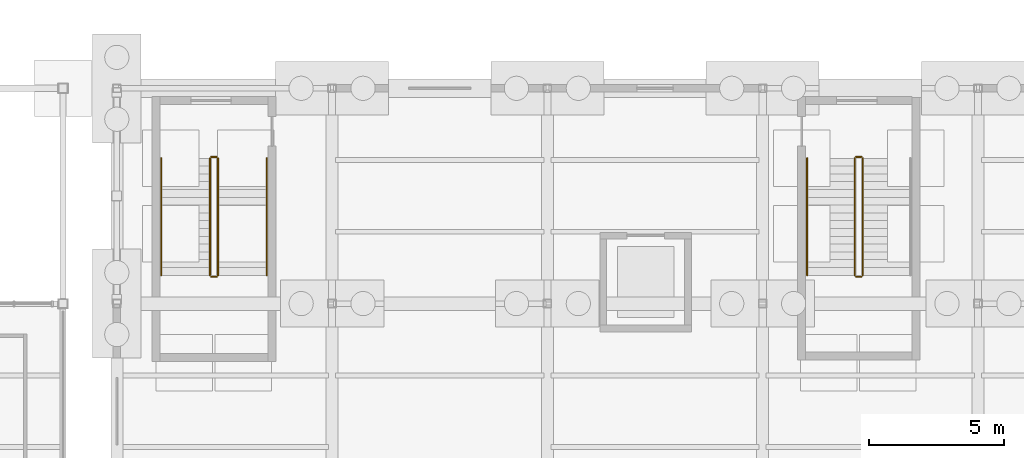
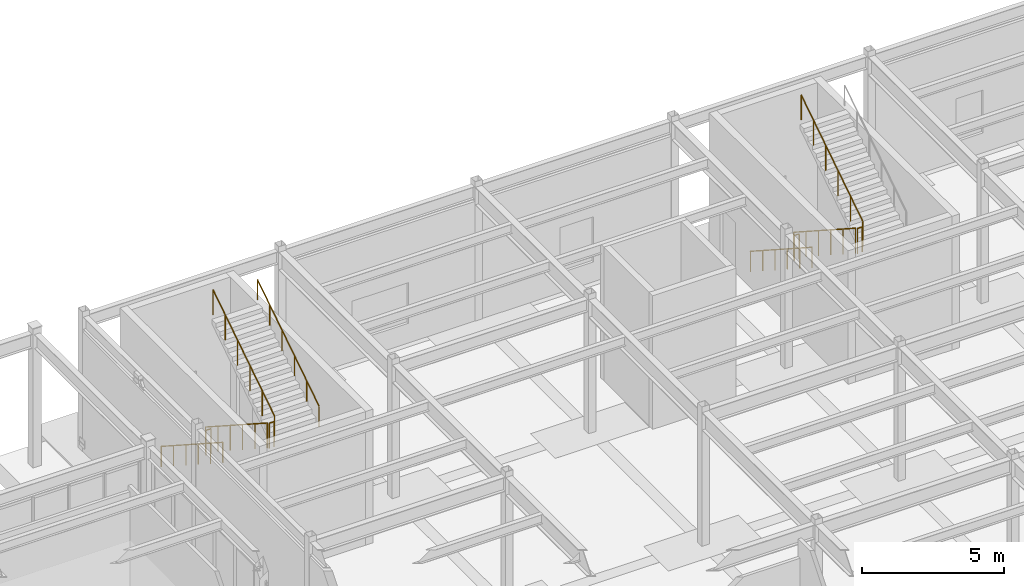
# One storey, part 80 of 82: 11 railings.
"""IFC4 building model written with IfcOpenShell, lengths in metres."""

from ifc_helpers import new_model, si_unit, direction, frame, origin, origin_2d, place, context, subcontext, project, spatial, circle, extrude, material, type_object, element, save


model = new_model("IFC4")

# Units and contexts
model_context = context("Model", 3, precision=1e-05, world=origin(), true_north=direction((0.0, 1.0)))
body_context = subcontext(model_context, "Body", "Model", "MODEL_VIEW")
ifc_project = project(units=[si_unit("LENGTHUNIT", "METRE"), si_unit("AREAUNIT", "SQUARE_METRE"), si_unit("VOLUMEUNIT", "CUBIC_METRE"), si_unit("PLANEANGLEUNIT", "RADIAN"), si_unit("MASSUNIT", "GRAM", prefix="KILO")], contexts=[model_context])

# Site, building, storey
site_placement = place(None, origin())
site = spatial("IfcSite", under=ifc_project, at=site_placement, CompositionType="ELEMENT")
building_placement = place(site_placement, origin())
building = spatial("IfcBuilding", under=site, at=building_placement, Name="Drelvath Fold Interchange", CompositionType="ELEMENT")
storey_placement = place(building_placement, origin())
storey = spatial("IfcBuildingStorey", under=building, at=storey_placement, Name="L00", CompositionType="ELEMENT", Elevation=0.0)

# Railings
ifc_material = material(Name="Stainless Steel 316L", Category="steel")
railing_type_1 = type_object("IfcRailingType", Name="RL-GRD1100", PredefinedType="GUARDRAIL", material=ifc_material)
railing_1_placement = place(storey_placement, frame((105.4599609375, 104.39990234375, 0.1875)))
element("IfcRailing", 1, at=railing_1_placement, inside=storey, type_object=railing_type_1, Name="L00 ST-07 stair guard 1", PredefinedType="GUARDRAIL", context=body_context, shape_type="SweptSolid", body=[
    extrude(circle(Radius=0.02392578125, at=origin_2d()), frame((0.0, 0.0, 1.076171875), z_axis=(0.0, -0.839755993153, 0.542963969306), x_axis=(1.0, 0.0, 0.0)), (0.0, 0.0, 1.0), 5.179931640625),
    extrude(circle(Radius=0.02099609375, at=origin_2d()), origin(), (0.0, 0.0, 1.0), 1.052001953125),
    extrude(circle(Radius=0.02099609375, at=origin_2d()), frame((0.0, -0.869873046875, 0.5625)), (0.0, 0.0, 1.0), 1.052001953125),
    extrude(circle(Radius=0.02099609375, at=origin_2d()), frame((0.0, -1.739990234375, 1.125)), (0.0, 0.0, 1.0), 1.052001953125),
    extrude(circle(Radius=0.02099609375, at=origin_2d()), frame((0.0, -2.60986328125, 1.6875)), (0.0, 0.0, 1.0), 1.052001953125),
    extrude(circle(Radius=0.02099609375, at=origin_2d()), frame((0.0, -3.47998046875, 2.25)), (0.0, 0.0, 1.0), 1.052001953125),
    extrude(circle(Radius=0.02099609375, at=origin_2d()), frame((0.0, -4.349853515625, 2.8125)), (0.0, 0.0, 1.0), 1.052001953125),
])
railing_2_placement = place(storey_placement, frame((105.510009765625, 100.0, 3.0)))
element("IfcRailing", 2, at=railing_2_placement, inside=storey, type_object=railing_type_1, Name="L00 ST-07 stair guard 2", PredefinedType="GUARDRAIL", context=body_context, shape_type="SweptSolid", body=[
    extrude(circle(Radius=0.02392578125, at=origin_2d()), frame((0.0, 0.0, 1.076171875), z_axis=(1.0, 0.0, 0.0), x_axis=(0.0, 1.0, 0.0)), (0.0, 0.0, 1.0), 0.199951171875),
    extrude(circle(Radius=0.02099609375, at=origin_2d()), origin(), (0.0, 0.0, 1.0), 1.052001953125),
    extrude(circle(Radius=0.02099609375, at=origin_2d()), frame((0.199951171875, 0.0, 0.0)), (0.0, 0.0, 1.0), 1.052001953125),
])
railing_3_placement = place(storey_placement, frame((105.760009765625, 100.050048828125, 3.1875)))
element("IfcRailing", 3, at=railing_3_placement, inside=storey, type_object=railing_type_1, Name="L00 ST-07 stair guard 3", PredefinedType="GUARDRAIL", context=body_context, shape_type="SweptSolid", body=[
    extrude(circle(Radius=0.02392578125, at=origin_2d()), frame((0.0, 0.0, 1.076171875), z_axis=(0.0, 0.839755993153, 0.542963969306), x_axis=(-1.0, 0.0, 0.0)), (0.0, 0.0, 1.0), 5.179931640625),
    extrude(circle(Radius=0.02099609375, at=origin_2d()), origin(), (0.0, 0.0, 1.0), 1.052001953125),
    extrude(circle(Radius=0.02099609375, at=origin_2d()), frame((0.0, 0.869873046875, 0.5625)), (0.0, 0.0, 1.0), 1.052001953125),
    extrude(circle(Radius=0.02099609375, at=origin_2d()), frame((0.0, 1.739990234375, 1.125)), (0.0, 0.0, 1.0), 1.052001953125),
    extrude(circle(Radius=0.02099609375, at=origin_2d()), frame((0.0, 2.60986328125, 1.6875)), (0.0, 0.0, 1.0), 1.052001953125),
    extrude(circle(Radius=0.02099609375, at=origin_2d()), frame((0.0, 3.47998046875, 2.25)), (0.0, 0.0, 1.0), 1.052001953125),
    extrude(circle(Radius=0.02099609375, at=origin_2d()), frame((0.0, 4.349853515625, 2.8125)), (0.0, 0.0, 1.0), 1.052001953125),
])
railing_4_placement = place(storey_placement, frame((105.510009765625, 104.449951171875, 0.0)))
element("IfcRailing", 4, at=railing_4_placement, inside=storey, type_object=railing_type_1, Name="L00 ST-07 stair guard 4", PredefinedType="GUARDRAIL", context=body_context, shape_type="SweptSolid", body=[
    extrude(circle(Radius=0.02392578125, at=origin_2d()), frame((0.0, 0.0, 1.076171875), z_axis=(1.0, 0.0, 0.0), x_axis=(0.0, 1.0, 0.0)), (0.0, 0.0, 1.0), 0.199951171875),
    extrude(circle(Radius=0.02099609375, at=origin_2d()), origin(), (0.0, 0.0, 1.0), 1.052001953125),
    extrude(circle(Radius=0.02099609375, at=origin_2d()), frame((0.199951171875, 0.0, 0.0)), (0.0, 0.0, 1.0), 1.052001953125),
])
railing_5_placement = place(storey_placement, frame((129.419921875, 104.39990234375, 0.1875)))
element("IfcRailing", 5, at=railing_5_placement, inside=storey, type_object=railing_type_1, Name="L00 ST-08 stair guard 1", PredefinedType="GUARDRAIL", context=body_context, shape_type="SweptSolid", body=[
    extrude(circle(Radius=0.02392578125, at=origin_2d()), frame((0.0, 0.0, 1.076171875), z_axis=(0.0, -0.839755993153, 0.542963969306), x_axis=(1.0, 0.0, 0.0)), (0.0, 0.0, 1.0), 5.179931640625),
    extrude(circle(Radius=0.02099609375, at=origin_2d()), origin(), (0.0, 0.0, 1.0), 1.052001953125),
    extrude(circle(Radius=0.02099609375, at=origin_2d()), frame((0.0, -0.869873046875, 0.5625)), (0.0, 0.0, 1.0), 1.052001953125),
    extrude(circle(Radius=0.02099609375, at=origin_2d()), frame((0.0, -1.739990234375, 1.125)), (0.0, 0.0, 1.0), 1.052001953125),
    extrude(circle(Radius=0.02099609375, at=origin_2d()), frame((0.0, -2.60986328125, 1.6875)), (0.0, 0.0, 1.0), 1.052001953125),
    extrude(circle(Radius=0.02099609375, at=origin_2d()), frame((0.0, -3.47998046875, 2.25)), (0.0, 0.0, 1.0), 1.052001953125),
    extrude(circle(Radius=0.02099609375, at=origin_2d()), frame((0.0, -4.349853515625, 2.8125)), (0.0, 0.0, 1.0), 1.052001953125),
])
railing_6_placement = place(storey_placement, frame((129.469970703125, 100.0, 3.0)))
element("IfcRailing", 6, at=railing_6_placement, inside=storey, type_object=railing_type_1, Name="L00 ST-08 stair guard 2", PredefinedType="GUARDRAIL", context=body_context, shape_type="SweptSolid", body=[
    extrude(circle(Radius=0.02392578125, at=origin_2d()), frame((0.0, 0.0, 1.076171875), z_axis=(1.0, 0.0, 0.0), x_axis=(0.0, 1.0, 0.0)), (0.0, 0.0, 1.0), 0.199951171875),
    extrude(circle(Radius=0.02099609375, at=origin_2d()), origin(), (0.0, 0.0, 1.0), 1.052001953125),
    extrude(circle(Radius=0.02099609375, at=origin_2d()), frame((0.199951171875, 0.0, 0.0)), (0.0, 0.0, 1.0), 1.052001953125),
])
railing_7_placement = place(storey_placement, frame((129.719970703125, 100.050048828125, 3.1875)))
element("IfcRailing", 7, at=railing_7_placement, inside=storey, type_object=railing_type_1, Name="L00 ST-08 stair guard 3", PredefinedType="GUARDRAIL", context=body_context, shape_type="SweptSolid", body=[
    extrude(circle(Radius=0.02392578125, at=origin_2d()), frame((0.0, 0.0, 1.076171875), z_axis=(0.0, 0.839755993153, 0.542963969306), x_axis=(-1.0, 0.0, 0.0)), (0.0, 0.0, 1.0), 5.179931640625),
    extrude(circle(Radius=0.02099609375, at=origin_2d()), origin(), (0.0, 0.0, 1.0), 1.052001953125),
    extrude(circle(Radius=0.02099609375, at=origin_2d()), frame((0.0, 0.869873046875, 0.5625)), (0.0, 0.0, 1.0), 1.052001953125),
    extrude(circle(Radius=0.02099609375, at=origin_2d()), frame((0.0, 1.739990234375, 1.125)), (0.0, 0.0, 1.0), 1.052001953125),
    extrude(circle(Radius=0.02099609375, at=origin_2d()), frame((0.0, 2.60986328125, 1.6875)), (0.0, 0.0, 1.0), 1.052001953125),
    extrude(circle(Radius=0.02099609375, at=origin_2d()), frame((0.0, 3.47998046875, 2.25)), (0.0, 0.0, 1.0), 1.052001953125),
    extrude(circle(Radius=0.02099609375, at=origin_2d()), frame((0.0, 4.349853515625, 2.8125)), (0.0, 0.0, 1.0), 1.052001953125),
])
railing_8_placement = place(storey_placement, frame((129.469970703125, 104.449951171875, 0.0)))
element("IfcRailing", 8, at=railing_8_placement, inside=storey, type_object=railing_type_1, Name="L00 ST-08 stair guard 4", PredefinedType="GUARDRAIL", context=body_context, shape_type="SweptSolid", body=[
    extrude(circle(Radius=0.02392578125, at=origin_2d()), frame((0.0, 0.0, 1.076171875), z_axis=(1.0, 0.0, 0.0), x_axis=(0.0, 1.0, 0.0)), (0.0, 0.0, 1.0), 0.199951171875),
    extrude(circle(Radius=0.02099609375, at=origin_2d()), origin(), (0.0, 0.0, 1.0), 1.052001953125),
    extrude(circle(Radius=0.02099609375, at=origin_2d()), frame((0.199951171875, 0.0, 0.0)), (0.0, 0.0, 1.0), 1.052001953125),
])
railing_type_2 = type_object("IfcRailingType", Name="RL-HND920", PredefinedType="HANDRAIL", material=ifc_material)
railing_9_placement = place(storey_placement, frame((103.64990234375, 104.39990234375, 0.1875)))
element("IfcRailing", 9, at=railing_9_placement, inside=storey, type_object=railing_type_2, Name="L00 ST-07 stair handrail 1", PredefinedType="HANDRAIL", context=body_context, shape_type="SweptSolid", body=[
    extrude(circle(Radius=0.02392578125, at=origin_2d()), frame((0.0, 0.0, 0.8759765625), z_axis=(0.0, -0.839755993153, 0.542963969306), x_axis=(1.0, 0.0, 0.0)), (0.0, 0.0, 1.0), 5.179931640625),
    extrude(circle(Radius=0.02099609375, at=origin_2d()), origin(), (0.0, 0.0, 1.0), 0.851806640625),
    extrude(circle(Radius=0.02099609375, at=origin_2d()), frame((0.0, -0.869873046875, 0.5625)), (0.0, 0.0, 1.0), 0.851806640625),
    extrude(circle(Radius=0.02099609375, at=origin_2d()), frame((0.0, -1.739990234375, 1.125)), (0.0, 0.0, 1.0), 0.851806640625),
    extrude(circle(Radius=0.02099609375, at=origin_2d()), frame((0.0, -2.60986328125, 1.6875)), (0.0, 0.0, 1.0), 0.851806640625),
    extrude(circle(Radius=0.02099609375, at=origin_2d()), frame((0.0, -3.47998046875, 2.25)), (0.0, 0.0, 1.0), 0.851806640625),
    extrude(circle(Radius=0.02099609375, at=origin_2d()), frame((0.0, -4.349853515625, 2.8125)), (0.0, 0.0, 1.0), 0.851806640625),
])
railing_10_placement = place(storey_placement, frame((107.570068359375, 100.050048828125, 3.1875)))
element("IfcRailing", 10, at=railing_10_placement, inside=storey, type_object=railing_type_2, Name="L00 ST-07 stair handrail 2", PredefinedType="HANDRAIL", context=body_context, shape_type="SweptSolid", body=[
    extrude(circle(Radius=0.02392578125, at=origin_2d()), frame((0.0, 0.0, 0.8759765625), z_axis=(0.0, 0.839755993153, 0.542963969306), x_axis=(-1.0, 0.0, 0.0)), (0.0, 0.0, 1.0), 5.179931640625),
    extrude(circle(Radius=0.02099609375, at=origin_2d()), origin(), (0.0, 0.0, 1.0), 0.851806640625),
    extrude(circle(Radius=0.02099609375, at=origin_2d()), frame((0.0, 0.869873046875, 0.5625)), (0.0, 0.0, 1.0), 0.851806640625),
    extrude(circle(Radius=0.02099609375, at=origin_2d()), frame((0.0, 1.739990234375, 1.125)), (0.0, 0.0, 1.0), 0.851806640625),
    extrude(circle(Radius=0.02099609375, at=origin_2d()), frame((0.0, 2.60986328125, 1.6875)), (0.0, 0.0, 1.0), 0.851806640625),
    extrude(circle(Radius=0.02099609375, at=origin_2d()), frame((0.0, 3.47998046875, 2.25)), (0.0, 0.0, 1.0), 0.851806640625),
    extrude(circle(Radius=0.02099609375, at=origin_2d()), frame((0.0, 4.349853515625, 2.8125)), (0.0, 0.0, 1.0), 0.851806640625),
])
railing_11_placement = place(storey_placement, frame((127.64990234375, 104.39990234375, 0.1875)))
element("IfcRailing", 11, at=railing_11_placement, inside=storey, type_object=railing_type_2, Name="L00 ST-08 stair handrail 1", PredefinedType="HANDRAIL", context=body_context, shape_type="SweptSolid", body=[
    extrude(circle(Radius=0.02392578125, at=origin_2d()), frame((0.0, 0.0, 0.8759765625), z_axis=(0.0, -0.839755993153, 0.542963969306), x_axis=(1.0, 0.0, 0.0)), (0.0, 0.0, 1.0), 5.179931640625),
    extrude(circle(Radius=0.02099609375, at=origin_2d()), origin(), (0.0, 0.0, 1.0), 0.851806640625),
    extrude(circle(Radius=0.02099609375, at=origin_2d()), frame((0.0, -0.869873046875, 0.5625)), (0.0, 0.0, 1.0), 0.851806640625),
    extrude(circle(Radius=0.02099609375, at=origin_2d()), frame((0.0, -1.739990234375, 1.125)), (0.0, 0.0, 1.0), 0.851806640625),
    extrude(circle(Radius=0.02099609375, at=origin_2d()), frame((0.0, -2.60986328125, 1.6875)), (0.0, 0.0, 1.0), 0.851806640625),
    extrude(circle(Radius=0.02099609375, at=origin_2d()), frame((0.0, -3.47998046875, 2.25)), (0.0, 0.0, 1.0), 0.851806640625),
    extrude(circle(Radius=0.02099609375, at=origin_2d()), frame((0.0, -4.349853515625, 2.8125)), (0.0, 0.0, 1.0), 0.851806640625),
])

save(model, "model.ifc")
